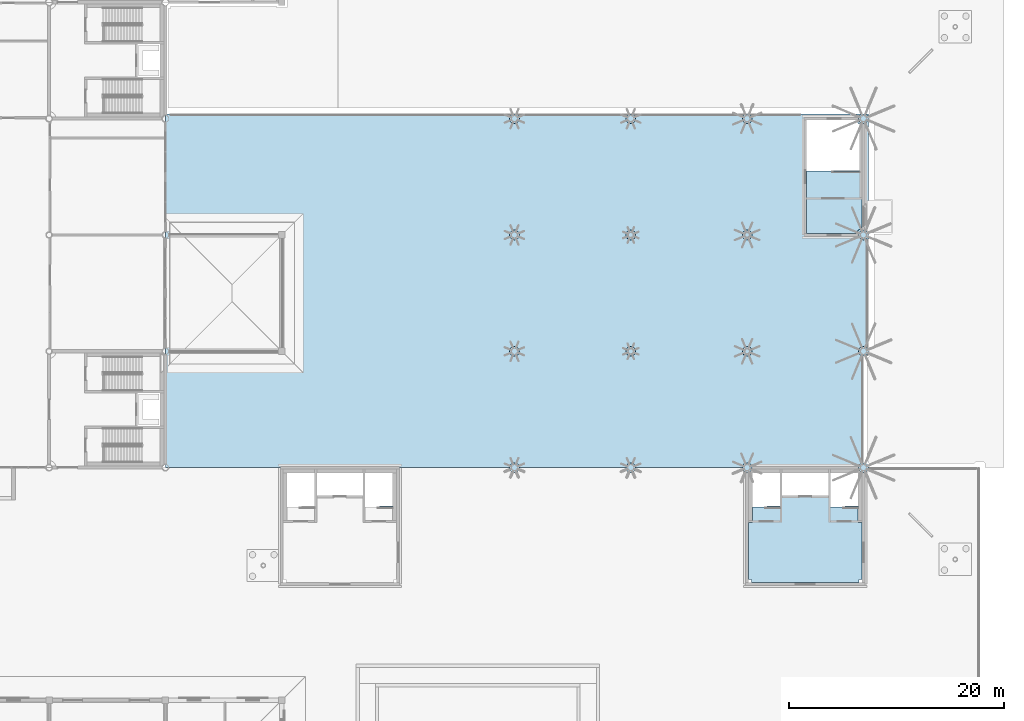
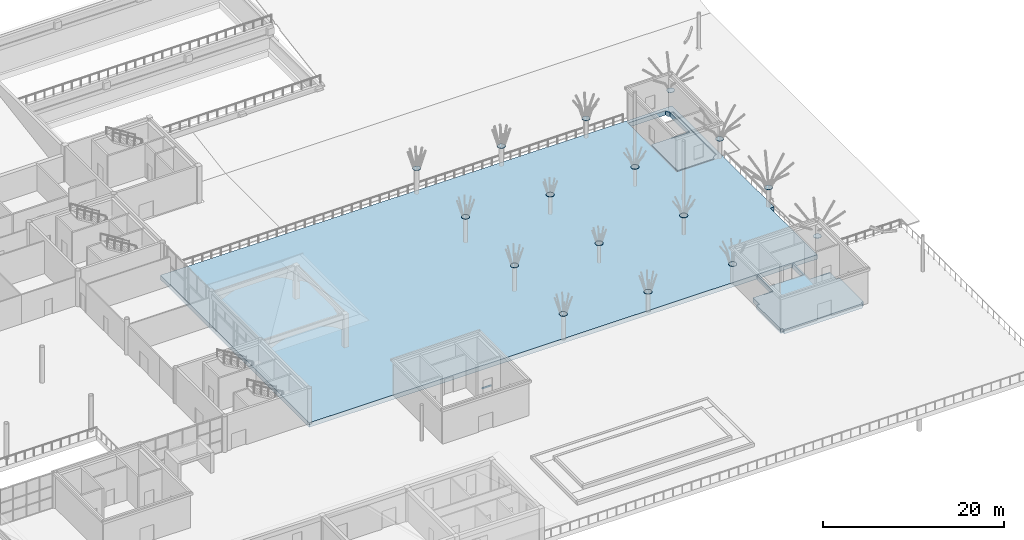
# One storey, part 43 of 91: 16 plates, 7 slabs.
"""IFC4 building model written with IfcOpenShell, lengths in metres."""

from ifc_helpers import new_model, si_unit, direction, frame, origin, origin_2d, place, context, subcontext, project, spatial, polyline, circle, outline, extrude, material, layer, layer_set, material_profile, profile_set, type_object, element, save


model = new_model("IFC4")

# Units and contexts
model_context = context("Model", 3, precision=1e-05, world=origin(), true_north=direction((0.0, 1.0)))
body_context = subcontext(model_context, "Body", "Model", "MODEL_VIEW")
ifc_project = project(units=[si_unit("LENGTHUNIT", "METRE"), si_unit("AREAUNIT", "SQUARE_METRE"), si_unit("VOLUMEUNIT", "CUBIC_METRE"), si_unit("PLANEANGLEUNIT", "RADIAN"), si_unit("MASSUNIT", "GRAM", prefix="KILO")], contexts=[model_context])

# Site, building, storey
site_placement = place(None, origin())
site = spatial("IfcSite", under=ifc_project, at=site_placement, CompositionType="ELEMENT")
building_placement = place(site_placement, origin())
building = spatial("IfcBuilding", under=site, at=building_placement, Name="Magnolia Steps Interchange", CompositionType="ELEMENT")
storey_placement = place(building_placement, origin())
storey = spatial("IfcBuildingStorey", under=building, at=storey_placement, Name="L00", CompositionType="ELEMENT", Elevation=0.0)

# Slabs
ifc_material_1 = material(Name="Concrete C35", Category="concrete")
ifc_layer_1 = layer(ifc_material_1, 0.199951171875)
ifc_layer_set_1 = layer_set([ifc_layer_1], Name="Core floor nib 200")
slab_type_1 = type_object("IfcSlabType", Name="Core floor nib 200", PredefinedType="FLOOR", material=ifc_layer_set_1)
slab_1_placement = place(storey_placement, frame((0.0, 0.0, -0.199951171875)))
element("IfcSlab", 1, at=slab_1_placement, inside=storey, type_object=slab_type_1, Name="L00 core floor nib BE-E", PredefinedType="FLOOR", context=body_context, shape_type="SweptSolid", body=[
    extrude(outline(polyline([(180.02490234375, 69.85498046875), (180.02490234375, 69.97509765625), (182.425048828125, 69.97509765625), (182.425048828125, 69.85498046875), (180.02490234375, 69.85498046875)])), origin(), (0.0, 0.0, 1.0), 0.199951171875),
])
slab_2_placement = place(storey_placement, frame((0.0, 0.0, -0.199951171875)))
element("IfcSlab", 2, at=slab_2_placement, inside=storey, type_object=slab_type_1, Name="L00 core floor nib BC3", PredefinedType="FLOOR", context=body_context, shape_type="SweptSolid", body=[
    extrude(outline(polyline([(137.89990234375, 38.679931640625), (137.89990234375, 38.800048828125), (139.10009765625, 38.800048828125), (139.10009765625, 38.679931640625), (137.89990234375, 38.679931640625)])), origin(), (0.0, 0.0, 1.0), 0.199951171875),
])
slab_3_placement = place(storey_placement, frame((0.0, 0.0, -0.199951171875)))
element("IfcSlab", 3, at=slab_3_placement, inside=storey, type_object=slab_type_1, Name="L00 core floor nib BC4", PredefinedType="FLOOR", context=body_context, shape_type="SweptSolid", body=[
    extrude(outline(polyline([(173.85009765625, 38.679931640625), (173.85009765625, 38.800048828125), (175.050048828125, 38.800048828125), (175.050048828125, 38.679931640625), (173.85009765625, 38.679931640625)])), origin(), (0.0, 0.0, 1.0), 0.199951171875),
])
slab_4_placement = place(storey_placement, frame((0.0, 0.0, -0.199951171875)))
element("IfcSlab", 4, at=slab_4_placement, inside=storey, type_object=slab_type_1, Name="L00 core floor nib BC4", PredefinedType="FLOOR", context=body_context, shape_type="SweptSolid", body=[
    extrude(outline(polyline([(181.10009765625, 38.679931640625), (181.10009765625, 38.800048828125), (182.300048828125, 38.800048828125), (182.300048828125, 38.679931640625), (181.10009765625, 38.679931640625)])), origin(), (0.0, 0.0, 1.0), 0.199951171875),
])
ifc_material_2 = material(Name="Concrete C35", Category="concrete")
ifc_layer_2 = layer(ifc_material_2, 0.60009765625)
ifc_layer_set_2 = layer_set([ifc_layer_2], Name="Core floor slab 600")
slab_type_2 = type_object("IfcSlabType", Name="Core floor slab 600", PredefinedType="FLOOR", material=ifc_layer_set_2)
slab_5_placement = place(storey_placement, frame((0.0, 0.0, -0.60009765625)))
element("IfcSlab", 5, at=slab_5_placement, inside=storey, type_object=slab_type_2, Name="L00 core floor BE-E", PredefinedType="FLOOR", context=body_context, shape_type="SweptSolid", body=[
    extrude(outline(polyline([(177.52490234375, 69.925048828125), (180.02490234375, 69.925048828125), (180.02490234375, 69.85498046875), (182.425048828125, 69.85498046875), (182.425048828125, 74.269775390625), (182.43896484375, 74.259521484375), (182.49365234375, 74.226806640625), (182.55126953125, 74.199462890625), (182.611328125, 74.177978515625), (182.673095703125, 74.16259765625), (182.675048828125, 74.162353515625), (182.675048828125, 64.6376953125), (182.673095703125, 64.637451171875), (182.611328125, 64.6220703125), (182.55126953125, 64.6005859375), (182.49365234375, 64.5732421875), (182.43896484375, 64.54052734375), (182.3876953125, 64.50244140625), (182.34033203125, 64.459716796875), (182.297607421875, 64.412353515625), (182.259521484375, 64.361083984375), (182.226806640625, 64.306396484375), (182.199462890625, 64.248779296875), (182.177978515625, 64.188720703125), (182.16259765625, 64.126708984375), (182.162353515625, 64.125), (177.52490234375, 64.125), (177.52490234375, 69.925048828125)])), origin(), (0.0, 0.0, 1.0), 0.60009765625),
])
slab_6_placement = place(storey_placement, frame((0.0, 0.0, -0.60009765625)))
element("IfcSlab", 6, at=slab_6_placement, inside=storey, type_object=slab_type_2, Name="L00 core floor BC4", PredefinedType="FLOOR", context=body_context, shape_type="SweptSolid", body=[
    extrude(outline(polyline([(172.39990234375, 32.0), (172.125, 32.0), (172.125, 37.300048828125), (172.5, 37.300048828125), (172.5, 38.75), (173.85009765625, 38.75), (173.85009765625, 38.679931640625), (175.050048828125, 38.679931640625), (175.050048828125, 42.27490234375), (175.25, 42.27490234375), (175.25, 39.800048828125), (179.550048828125, 39.800048828125), (179.550048828125, 42.27490234375), (179.75, 42.27490234375), (179.75, 38.75), (181.10009765625, 38.75), (181.10009765625, 38.679931640625), (182.300048828125, 38.679931640625), (182.300048828125, 37.300048828125), (182.675048828125, 37.300048828125), (182.675048828125, 32.0), (182.39990234375, 32.0), (182.39990234375, 31.72509765625), (172.39990234375, 31.72509765625), (172.39990234375, 32.0)])), origin(), (0.0, 0.0, 1.0), 0.60009765625),
])
ifc_material_3 = material(Name="Concrete C40", Category="concrete")
ifc_layer_3 = layer(ifc_material_3, 0.60009765625)
ifc_layer_set_3 = layer_set([ifc_layer_3], Name="Floor slab 600")
slab_type_3 = type_object("IfcSlabType", Name="Floor slab 600", PredefinedType="FLOOR", material=ifc_layer_set_3)
slab_7_placement = place(storey_placement, frame((0.0, 0.0, -0.60009765625)))
element("IfcSlab", 7, at=slab_7_placement, inside=storey, type_object=slab_type_3, Name="Plinth slab", PredefinedType="FLOOR", context=body_context, shape_type="SweptSolid", body=[
    extrude(outline(polyline([(118.0, 42.39990234375), (182.800048828125, 42.39990234375), (182.800048828125, 52.75), (183.25, 52.75), (183.25, 75.25), (118.0, 75.25), (118.0, 42.39990234375)]), holes=[polyline([(177.39990234375, 74.800048828125), (177.39990234375, 64.0), (182.14990234375, 64.0), (182.153076171875, 64.063720703125), (182.16259765625, 64.126708984375), (182.177978515625, 64.188720703125), (182.199462890625, 64.248779296875), (182.226806640625, 64.306396484375), (182.259521484375, 64.361083984375), (182.297607421875, 64.412353515625), (182.34033203125, 64.459716796875), (182.3876953125, 64.50244140625), (182.43896484375, 64.54052734375), (182.49365234375, 64.5732421875), (182.55126953125, 64.6005859375), (182.611328125, 64.6220703125), (182.673095703125, 64.637451171875), (182.736328125, 64.64697265625), (182.800048828125, 64.64990234375), (182.800048828125, 74.14990234375), (182.736328125, 74.153076171875), (182.673095703125, 74.16259765625), (182.611328125, 74.177978515625), (182.55126953125, 74.199462890625), (182.49365234375, 74.226806640625), (182.43896484375, 74.259521484375), (182.3876953125, 74.297607421875), (182.34033203125, 74.34033203125), (182.297607421875, 74.3876953125), (182.259521484375, 74.43896484375), (182.226806640625, 74.49365234375), (182.199462890625, 74.55126953125), (182.177978515625, 74.611328125), (182.16259765625, 74.673095703125), (182.153076171875, 74.736328125), (182.14990234375, 74.800048828125), (177.39990234375, 74.800048828125)])]), origin(), (0.0, 0.0, 1.0), 0.60009765625),
])

# Plates
ifc_material_4 = material(Name="Steel Q355B", Category="steel")
ifc_material_profile = material_profile(ifc_material_4, circle(Radius=0.449951171875, at=origin_2d()), Name="Tree head plate 900 x 30")
ifc_profile_set = profile_set([ifc_material_profile], Name="Steel Q355B")
plate_type = type_object("IfcPlateType", Name="Tree head plate 900 x 30", PredefinedType="SHEET", material=ifc_profile_set)
for number, where, z_axis, x_axis, name in (
    (8, (150.39990234375, 42.39990234375, 3.3212890625), (0.0, 0.0, 1.0), (1.0, 0.0, 0.0), "Tree head plate TC01A"),
    (9, (150.39990234375, 53.199951171875, 3.3212890625), (0.0, 0.0, 1.0), (1.0, 0.0, 0.0), "Tree head plate TC01B"),
    (10, (150.39990234375, 64.0, 3.3212890625), (0.0, 0.0, 1.0), (1.0, 0.0, 0.0), "Tree head plate TC01C"),
    (11, (150.39990234375, 74.800048828125, 3.3212890625), (0.0, 0.0, 1.0), (1.0, 0.0, 0.0), "Tree head plate TC01D"),
    (12, (161.199951171875, 42.39990234375, 2.53369140625), (0.0, 0.0, 1.0), (1.0, 0.0, 0.0), "Tree head plate TC02A"),
    (13, (161.199951171875, 53.199951171875, 2.53369140625), (0.0, 0.0, 1.0), (1.0, 0.0, 0.0), "Tree head plate TC02B"),
    (14, (161.199951171875, 64.0, 2.53369140625), (0.0, 0.0, 1.0), (1.0, 0.0, 0.0), "Tree head plate TC02C"),
    (15, (161.199951171875, 74.800048828125, 2.53369140625), (0.0, 0.0, 1.0), (1.0, 0.0, 0.0), "Tree head plate TC02D"),
    (16, (172.0, 42.39990234375, 2.489990234375), (0.0, 0.0, 1.0), (1.0, 0.0, 0.0), "Tree head plate TC03A"),
    (17, (172.0, 53.199951171875, 2.489990234375), (0.0, 0.0, 1.0), (1.0, 0.0, 0.0), "Tree head plate TC03B"),
    (18, (172.0, 64.0, 2.489990234375), (0.0, 0.0, 1.0), (1.0, 0.0, 0.0), "Tree head plate TC03C"),
    (19, (172.0, 74.800048828125, 2.489990234375), (0.0, 0.0, 1.0), (1.0, 0.0, 0.0), "Tree head plate TC03D"),
    (20, (182.800048828125, 42.39990234375, 2.489990234375), (0.0, 0.0, 1.0), (1.0, 0.0, 0.0), "Tree head plate TC04A"),
    (21, (182.800048828125, 53.199951171875, 2.489990234375), (0.0, 0.0, 1.0), (1.0, 0.0, 0.0), "Tree head plate TC04B"),
    (22, (182.800048828125, 64.0, 2.489990234375), (0.0, 0.0, 1.0), (1.0, 0.0, 0.0), "Tree head plate TC04C"),
    (23, (182.800048828125, 74.800048828125, 2.489990234375), (0.0, 0.0, 1.0), (1.0, 0.0, 0.0), "Tree head plate TC04D"),
):
    element("IfcPlate", number, at=place(storey_placement, frame(where, z_axis=z_axis, x_axis=x_axis)), inside=storey, type_object=plate_type, Name=name, PredefinedType="SHEET", context=body_context, shape_type="SweptSolid", body=[
        extrude(circle(Radius=0.449951171875, at=origin_2d()), origin(), (0.0, 0.0, 1.0), 0.030029296875),
    ])

save(model, "model.ifc")
